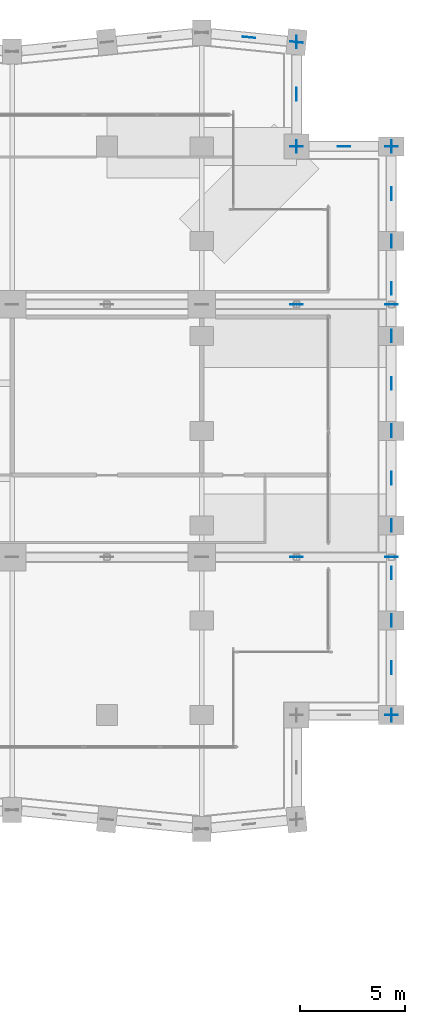
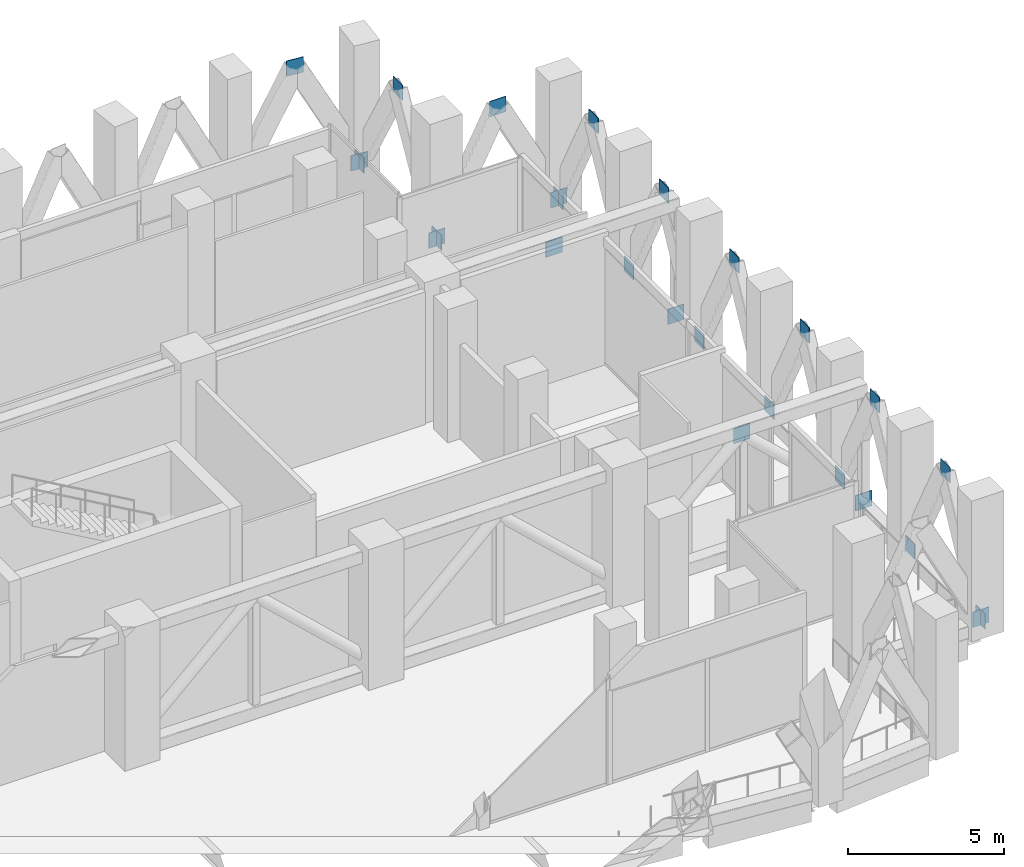
# One storey, part 31 of 37: 26 discrete accessories.
"""IFC4 building model written with IfcOpenShell, lengths in metres."""

from ifc_helpers import new_model, si_unit, direction, frame, origin, origin_2d, place, context, subcontext, project, spatial, rectangle, extrude, material, layer, layer_set, type_object, element, save


model = new_model("IFC4")

# Units and contexts
model_context = context("Model", 3, precision=1e-05, world=origin(), true_north=direction((0.0, 1.0)))
body_context = subcontext(model_context, "Body", "Model", "MODEL_VIEW")
ifc_project = project(units=[si_unit("LENGTHUNIT", "METRE"), si_unit("AREAUNIT", "SQUARE_METRE"), si_unit("VOLUMEUNIT", "CUBIC_METRE"), si_unit("PLANEANGLEUNIT", "RADIAN"), si_unit("MASSUNIT", "GRAM", prefix="KILO")], contexts=[model_context])

# Site, building, storey
site_placement = place(None, origin())
site = spatial("IfcSite", under=ifc_project, at=site_placement, CompositionType="ELEMENT")
building_placement = place(site_placement, origin())
building = spatial("IfcBuilding", under=site, at=building_placement, Name="Brondeck Convention Tower", CompositionType="ELEMENT")
storey_placement = place(building_placement, frame((0.0, 0.0, 137.89990234375)))
storey = spatial("IfcBuildingStorey", under=building, at=storey_placement, Name="L33", CompositionType="ELEMENT", Elevation=137.89990234375)

# Discrete accessories
ifc_material = material(Name="Steel S460", Category="steel")
ifc_layer = layer(ifc_material, 0.02490234375)
ifc_layer_set = layer_set([ifc_layer], Name="Gusset plate 600x600x25 Steel S460")
discrete_accessory_type = type_object("IfcDiscreteAccessoryType", Name="Gusset plate 600x600x25 Steel S460", PredefinedType="BRACKET", material=ifc_layer_set)
for number, where, z_axis, x_axis, name in (
    (1, (72.0, 31.5, 0.199951171875), (0.0, 0.0, 1.0), (1.0, 0.0, 0.0), "Gusset plate GP-393"),
    (2, (72.0, 31.5, 0.199951171875), (0.0, 0.0, 1.0), (0.0, 1.0, 0.0), "Gusset plate GP-394"),
    (3, (72.0, 33.75, 4.550048828125), (0.0, 0.0, 1.0), (0.0, 1.0, 0.0), "Gusset plate GP-395"),
    (4, (72.0, 36.0, 0.199951171875), (0.0, 0.0, 1.0), (0.0, 1.0, 0.0), "Gusset plate GP-396"),
    (5, (72.0, 38.25, 4.550048828125), (0.0, 0.0, 1.0), (0.0, 1.0, 0.0), "Gusset plate GP-397"),
    (6, (72.0, 40.5, 0.199951171875), (0.0, 0.0, 1.0), (0.0, 1.0, 0.0), "Gusset plate GP-398"),
    (7, (72.0, 42.75, 4.550048828125), (0.0, 0.0, 1.0), (0.0, 1.0, 0.0), "Gusset plate GP-399"),
    (8, (72.0, 45.0, 0.199951171875), (0.0, 0.0, 1.0), (0.0, 1.0, 0.0), "Gusset plate GP-400"),
    (9, (72.0, 47.25, 4.550048828125), (0.0, 0.0, 1.0), (0.0, 1.0, 0.0), "Gusset plate GP-401"),
    (10, (72.0, 49.5, 0.199951171875), (0.0, 0.0, 1.0), (0.0, 1.0, 0.0), "Gusset plate GP-402"),
    (11, (72.0, 51.75, 4.550048828125), (0.0, 0.0, 1.0), (0.0, 1.0, 0.0), "Gusset plate GP-403"),
    (12, (72.0, 54.0, 0.199951171875), (0.0, 0.0, 1.0), (0.0, 1.0, 0.0), "Gusset plate GP-404"),
    (13, (72.0, 56.25, 4.550048828125), (0.0, 0.0, 1.0), (0.0, 1.0, 0.0), "Gusset plate GP-405"),
    (14, (72.0, 58.5, 0.199951171875), (0.0, 0.0, 1.0), (0.0, 1.0, 0.0), "Gusset plate GP-406"),
    (15, (72.0, 58.5, 0.199951171875), (0.0, 0.0, 1.0), (1.0, 0.0, 0.0), "Gusset plate GP-407"),
    (16, (69.75, 58.5, 4.550048828125), (0.0, 0.0, 1.0), (1.0, 0.0, 0.0), "Gusset plate GP-408"),
    (17, (67.5, 58.5, 0.199951171875), (0.0, 0.0, 1.0), (1.0, 0.0, 0.0), "Gusset plate GP-409"),
    (18, (67.5, 58.5, 0.199951171875), (0.0, 0.0, 1.0), (0.0, 1.0, 0.0), "Gusset plate GP-410"),
    (19, (67.5, 60.97509765625, 4.550048828125), (0.0, 0.0, 1.0), (0.0, 1.0, 0.0), "Gusset plate GP-411"),
    (20, (67.5, 63.449951171875, 0.199951171875), (0.0, 0.0, 1.0), (0.0, 1.0, 0.0), "Gusset plate GP-412"),
    (21, (67.5, 63.449951171875, 0.199951171875), (0.0, 0.0, 1.0), (-0.9950364836, 0.099510784867, 0.0), "Gusset plate GP-413"),
    (22, (65.25, 63.675048828125, 4.550048828125), (0.0, 0.0, 1.0), (-0.9950364836, 0.099510784867, 0.0), "Gusset plate GP-414"),
    (23, (67.5, 39.0, 4.400146484375), (0.0, 0.0, 1.0), (1.0, 0.0, 0.0), "Gusset plate GP-497"),
    (24, (72.0, 39.0, 0.199951171875), (0.0, 0.0, 1.0), (1.0, 0.0, 0.0), "Gusset plate GP-498"),
    (25, (67.5, 51.0, 4.400146484375), (0.0, 0.0, 1.0), (1.0, 0.0, 0.0), "Gusset plate GP-502"),
    (26, (72.0, 51.0, 0.199951171875), (0.0, 0.0, 1.0), (1.0, 0.0, 0.0), "Gusset plate GP-503"),
):
    element("IfcDiscreteAccessory", number, at=place(storey_placement, frame(where, z_axis=z_axis, x_axis=x_axis)), inside=storey, type_object=discrete_accessory_type, Name=name, PredefinedType="BRACKET", context=body_context, shape_type="SweptSolid", body=[
        extrude(rectangle(XDim=0.60009765625, YDim=0.02490234375, at=origin_2d()), origin(), (0.0, 0.0, 1.0), 0.60009765625),
    ])

save(model, "model.ifc")
